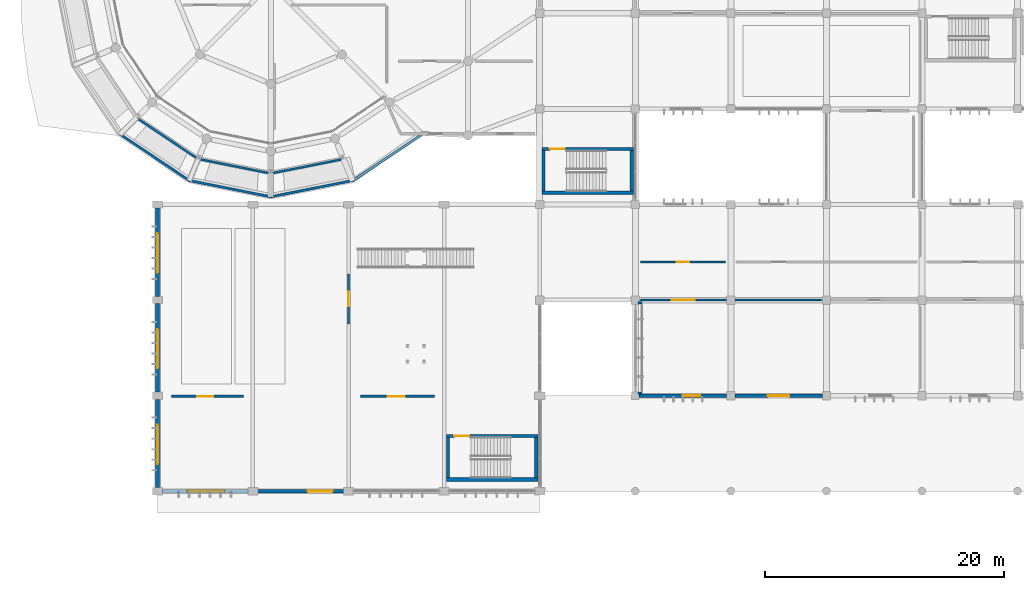
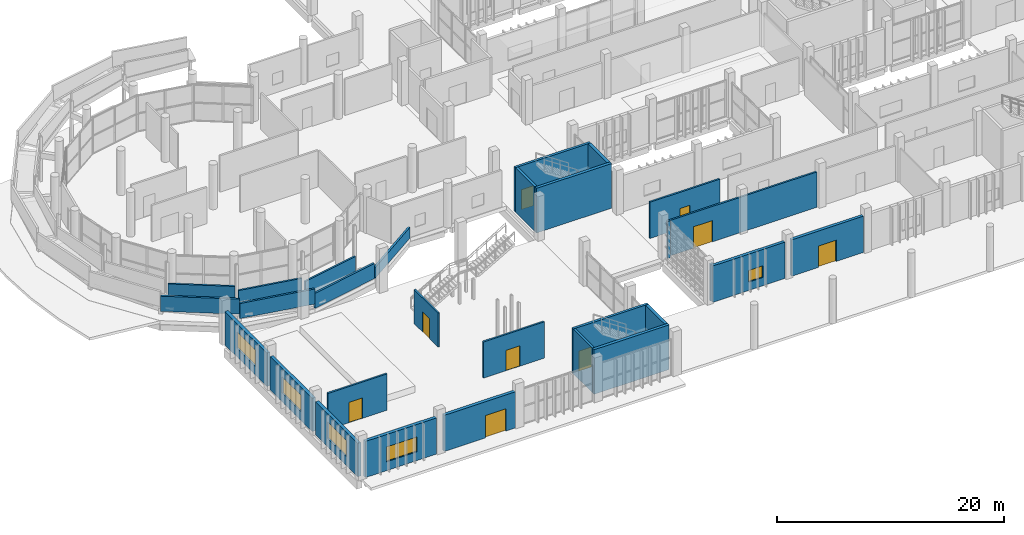
# One storey, part 82 of 117: 29 walls, 9 doors, 5 windows, 14 openings.
"""IFC4 building model written with IfcOpenShell, lengths in metres."""

import ifcopenshell
import ifcopenshell.guid

model = None  # the IFC model being written
_history = None  # IfcOwnerHistory: only IFC2X3 demands one
_inside = {}  # id of a spatial element -> (the spatial element, [elements in it])
_under = {}  # id of a project, library or spatial element -> (it, [spatial elements below it])
_declared = {}  # id of a project -> (the project, [libraries it declares])
_typed = {}  # id of a type object -> (the type object, [elements of that type])
_made_of = {}  # id of a material, layer set ... -> (it, [elements and type objects made of it])


def new_model(schema):
    """Start an empty IFC model of exactly this schema.

    Asked for "IFC4X3", IfcOpenShell would pick the latest addendum, in which some entities
    have other attributes; the version numbers below select the first issue.
    IFC2X3 requires an IfcOwnerHistory on every rooted entity: one is made here for all.
    """
    global model, _history
    if schema == "IFC4X3":
        model = ifcopenshell.file(schema_version=(4, 3, 0, 0))
    else:
        model = ifcopenshell.file(schema=schema)
    _inside.clear()
    _under.clear()
    _declared.clear()
    _typed.clear()
    _made_of.clear()
    _history = None
    if model.schema == "IFC2X3":
        org = make("IfcOrganization", Name="unknown")
        user = make(
            "IfcPersonAndOrganization",
            ThePerson=make("IfcPerson", FamilyName="unknown"),
            TheOrganization=org,
        )
        app = make(
            "IfcApplication",
            ApplicationDeveloper=org,
            Version="unknown",
            ApplicationFullName="unknown",
            ApplicationIdentifier="unknown",
        )
        _history = make(
            "IfcOwnerHistory",
            OwningUser=user,
            OwningApplication=app,
            ChangeAction="ADDED",
            CreationDate=0,
        )
    return model


def make(cls, **values):
    """One entity of the class cls with the attributes given. An attribute that is None is left unset."""
    return model.create_entity(
        cls, **{name: value for name, value in values.items() if value is not None}
    )


def rooted(cls, **values):
    """An entity with a GlobalId (a new one), such as an element, a storey or a relation."""
    return make(cls, GlobalId=ifcopenshell.guid.new(), OwnerHistory=_history, **values)


def si_unit(unit_type, name, prefix=None):
    """IfcSIUnit, for example si_unit("LENGTHUNIT", "METRE", prefix="MILLI")."""
    return make("IfcSIUnit", UnitType=unit_type, Prefix=prefix, Name=name)


def assignment(units):
    """IfcUnitAssignment: the units of a project."""
    return None if units is None else make("IfcUnitAssignment", Units=units)


def point(xyz):
    """IfcCartesianPoint."""
    return None if xyz is None else make("IfcCartesianPoint", Coordinates=xyz)


def direction(xyz):
    """IfcDirection."""
    return None if xyz is None else make("IfcDirection", DirectionRatios=xyz)


def frame(location, z_axis=None, x_axis=None):
    """IfcAxis2Placement3D, a coordinate frame: its origin and axes. An axis left out is left unset."""
    return make(
        "IfcAxis2Placement3D",
        Location=point(location),
        Axis=direction(z_axis),
        RefDirection=direction(x_axis),
    )


def frame_2d(location, x_axis=None):
    """IfcAxis2Placement2D, a coordinate frame in the plane: its origin and x axis."""
    return make(
        "IfcAxis2Placement2D", Location=point(location), RefDirection=direction(x_axis)
    )


def origin():
    """The frame at (0, 0, 0) with its axes left unset."""
    return frame((0.0, 0.0, 0.0))


def place(relative_to, where):
    """IfcLocalPlacement: puts the frame where relative to a parent placement (None: the world)."""
    return make(
        "IfcLocalPlacement", PlacementRelTo=relative_to, RelativePlacement=where
    )


def context(
    kind, dimensions, precision=None, world=None, true_north=None, identifier=None
):
    """IfcGeometricRepresentationContext, for example the 3D "Model" context."""
    return make(
        "IfcGeometricRepresentationContext",
        ContextIdentifier=identifier,
        ContextType=kind,
        CoordinateSpaceDimension=dimensions,
        Precision=precision,
        WorldCoordinateSystem=world,
        TrueNorth=true_north,
    )


def subcontext(parent, identifier, kind, view, scale=None):
    """IfcGeometricRepresentationSubContext, for example "Body" below "Model"."""
    return make(
        "IfcGeometricRepresentationSubContext",
        ContextIdentifier=identifier,
        ContextType=kind,
        ParentContext=parent,
        TargetScale=scale,
        TargetView=view,
    )


def project(units=None, contexts=None):
    """IfcProject with its units and contexts."""
    return rooted(
        "IfcProject",
        Name="project",
        RepresentationContexts=contexts,
        UnitsInContext=assignment(units),
    )


def spatial(cls, under=None, at=None, **own):
    """A site, building, storey or space (cls), placed at a placement, below another one or the project."""
    s = rooted(cls, ObjectPlacement=at, **own)
    if under is not None:
        _under.setdefault(under.id(), (under, []))[1].append(s)
    return s


def profile(cls, at=None, kind="AREA", **sizes):
    """A parametric profile (cls). Its sizes go by their IFC names, for example OverallWidth=200.0."""
    return make(cls, ProfileType=kind, Position=at, **sizes)


def rectangle(**sizes):
    """IfcRectangleProfileDef."""
    return profile("IfcRectangleProfileDef", **sizes)


def extrude(swept, where, along, depth):
    """IfcExtrudedAreaSolid: the profile swept, set in the frame where, extruded along a direction by depth."""
    return make(
        "IfcExtrudedAreaSolid",
        SweptArea=swept,
        Position=where,
        ExtrudedDirection=direction(along),
        Depth=depth,
    )


def shape(context_of_items, identifier, shape_type, items):
    """IfcShapeRepresentation: the items that make up one representation, for example the "Body"."""
    return make(
        "IfcShapeRepresentation",
        ContextOfItems=context_of_items,
        RepresentationIdentifier=identifier,
        RepresentationType=shape_type,
        Items=items,
    )


def material(Name=None, Category=None):
    """IfcMaterial."""
    return make("IfcMaterial", Name=Name, Category=Category)


def layer(
    of_material, thickness, ventilated=None, Name=None, Category=None, Priority=None
):
    """IfcMaterialLayer: one layer of a wall or slab, of a material (None: an air gap)."""
    return make(
        "IfcMaterialLayer",
        Material=of_material,
        LayerThickness=thickness,
        IsVentilated=ventilated,
        Name=Name,
        Category=Category,
        Priority=Priority,
    )


def layer_set(layers, Name=None):
    """IfcMaterialLayerSet."""
    return make("IfcMaterialLayerSet", MaterialLayers=layers, LayerSetName=Name)


def made_of(thing, what):
    """Note that an element or type object is made of a material, layer set ...; save() writes the relation."""
    if what is not None:
        _made_of.setdefault(what.id(), (what, []))[1].append(thing)
    return thing


def type_object(cls, material=None, **own):
    """A type object (cls), such as IfcWallType, which elements share."""
    return made_of(rooted(cls, **own), material)


def element(
    cls,
    number,
    at=None,
    inside=None,
    cuts=None,
    type_object=None,
    material=None,
    context=None,
    identifier="Body",
    shape_type=None,
    held_by="IfcProductDefinitionShape",
    body=None,
    shapes=None,
    **own,
):
    """One element of the class cls, such as IfcWall. Its Tag is "e" and its number.

    at: its placement. inside: the storey or other place that contains it. cuts: it is an
    opening in that element (IfcRelVoidsElement). A single representation is given by context,
    identifier, shape_type and body (its items); several are given by shapes. held_by: the class
    of the entity that holds the representations. save() writes the other relations.
    """
    e = rooted(cls, Tag="e%d" % number, ObjectPlacement=at, **own)
    if body is not None:
        shapes = [shape(context, identifier, shape_type, body)]
    if shapes is not None:
        e.Representation = make(held_by, Representations=shapes)
    if inside is not None:
        _inside.setdefault(inside.id(), (inside, []))[1].append(e)
    if cuts is not None:
        rooted(
            "IfcRelVoidsElement", RelatingBuildingElement=cuts, RelatedOpeningElement=e
        )
    if type_object is not None:
        _typed.setdefault(type_object.id(), (type_object, []))[1].append(e)
    return made_of(e, material)


def fill(opening, filler):
    """IfcRelFillsElement: the door or window that sits in an opening."""
    return rooted(
        "IfcRelFillsElement",
        RelatingOpeningElement=opening,
        RelatedBuildingElement=filler,
    )


def aggregate(whole, parts):
    """IfcRelAggregates: a whole, such as a stair, and the parts it consists of."""
    return rooted("IfcRelAggregates", RelatingObject=whole, RelatedObjects=parts)


def save(model, path):
    """Write the relations noted so far, then the file.

    IfcRelAggregates (storeys below a building ...), IfcRelContainedInSpatialStructure (elements
    in a storey), IfcRelDefinesByType, IfcRelAssociatesMaterial and IfcRelDeclares: one each for
    every whole, place, type object, material and project.
    """
    for whole, parts in _under.values():
        aggregate(whole, parts)
    for where, things in _inside.values():
        rooted(
            "IfcRelContainedInSpatialStructure",
            RelatedElements=things,
            RelatingStructure=where,
        )
    for kind, things in _typed.values():
        rooted("IfcRelDefinesByType", RelatedObjects=things, RelatingType=kind)
    for what, things in _made_of.values():
        rooted("IfcRelAssociatesMaterial", RelatedObjects=things, RelatingMaterial=what)
    for by, libraries in _declared.values():
        rooted("IfcRelDeclares", RelatingContext=by, RelatedDefinitions=libraries)
    model.write(path)


model = new_model("IFC4")

# Units and contexts
model_context = context("Model", 3, precision=1e-05, world=origin(), true_north=direction((0.0, 1.0)))
body_context = subcontext(model_context, "Body", "Model", "MODEL_VIEW")
ifc_project = project(units=[si_unit("LENGTHUNIT", "METRE"), si_unit("AREAUNIT", "SQUARE_METRE"), si_unit("VOLUMEUNIT", "CUBIC_METRE"), si_unit("PLANEANGLEUNIT", "RADIAN"), si_unit("MASSUNIT", "GRAM", prefix="KILO")], contexts=[model_context])

# Site, building, storey
site_placement = place(None, origin())
site = spatial("IfcSite", under=ifc_project, at=site_placement, CompositionType="ELEMENT")
building_placement = place(site_placement, origin())
building = spatial("IfcBuilding", under=site, at=building_placement, Name="Jelvoka-Kovrelna Polytechnic", CompositionType="ELEMENT")
storey_placement = place(building_placement, origin())
storey = spatial("IfcBuildingStorey", under=building, at=storey_placement, Name="L01", CompositionType="ELEMENT", Elevation=0.0)

# Wall, opening, door
ifc_material_1 = material(Name="Concrete C40/50", Category="concrete")
ifc_layer_1 = layer(ifc_material_1, 0.25)
ifc_layer_set_1 = layer_set([ifc_layer_1], Name="Concrete C40/50")
wall_type_1 = type_object("IfcWallType", Name="Wall_Core_250", PredefinedType="SOLIDWALL", material=ifc_layer_set_1)
wall_1_placement = place(storey_placement, frame((48.199951171875, 28.639892578125, 0.0), z_axis=(0.0, 0.0, 1.0), x_axis=(1.0, 0.0, 0.0)))
wall_1 = element("IfcWall", 1, at=wall_1_placement, inside=storey, type_object=wall_type_1, Name="L01 interior wall 0019", PredefinedType="SOLIDWALL", context=body_context, shape_type="SweptSolid", body=[
    extrude(rectangle(XDim=7.650146484375, YDim=0.25, at=frame_2d((3.8251953125, 0.0))), origin(), (0.0, 0.0, 1.0), 4.800048828125),
])
opening_1_placement = place(wall_1_placement, frame((0.64990234375, 0.0, 0.0)))
opening_1 = element("IfcOpeningElement", 2, at=opening_1_placement, cuts=wall_1, Name="Opening SD-L01-005", PredefinedType="OPENING", context=body_context, shape_type="SweptSolid", body=[
    extrude(rectangle(XDim=1.25, YDim=2.14990234375, at=frame_2d((0.625, 1.074951171875))), frame((0.0, 0.135009765625, 0.0), z_axis=(0.0, -1.0, 0.0), x_axis=(1.0, 0.0, 0.0)), (0.0, 0.0, 1.0), 0.27001953125),
])
ifc_material_2 = material(Name="Powder-coated steel fire door", Category="steel")
door_type_1 = type_object("IfcDoorType", Name="Door_Fire_FD02", OperationType="NOTDEFINED", PredefinedType="DOOR", material=ifc_material_2)
door_1_placement = place(opening_1_placement, origin())
door_1 = element("IfcDoor", 3, at=door_1_placement, inside=storey, type_object=door_type_1, Name="L01 interior door SD-L01-005", OperationType="SINGLE_SWING_LEFT", OverallHeight=2.14990234375, OverallWidth=1.25, PredefinedType="DOOR", context=body_context, shape_type="SweptSolid", body=[
    extrude(rectangle(XDim=1.25, YDim=2.14990234375, at=frame_2d((0.625, 1.074951171875))), frame((0.0, 0.02490234375, 0.0), z_axis=(0.0, -1.0, 0.0), x_axis=(1.0, 0.0, 0.0)), (0.0, 0.0, 1.0), 0.050048828125),
])
fill(opening_1, door_1)

# Wall
wall_2_placement = place(storey_placement, frame((48.324951171875, 25.14990234375, 0.0), z_axis=(0.0, 0.0, 1.0), x_axis=(0.0, 1.0, 0.0)))
element("IfcWall", 4, at=wall_2_placement, inside=storey, type_object=wall_type_1, Name="L01 interior wall 0020", PredefinedType="SOLIDWALL", context=body_context, shape_type="SweptSolid", body=[
    extrude(rectangle(XDim=3.360107421875, YDim=0.25, at=frame_2d((1.68017578125, 0.0))), origin(), (0.0, 0.0, 1.0), 4.800048828125),
])

# Wall, opening, door
wall_3_placement = place(storey_placement, frame((40.199951171875, 4.639892578125, 0.0), z_axis=(0.0, 0.0, 1.0), x_axis=(1.0, 0.0, 0.0)))
wall_3 = element("IfcWall", 5, at=wall_3_placement, inside=storey, type_object=wall_type_1, Name="L01 interior wall 0039", PredefinedType="SOLIDWALL", context=body_context, shape_type="SweptSolid", body=[
    extrude(rectangle(XDim=7.650146484375, YDim=0.25, at=frame_2d((3.8251953125, 0.0))), origin(), (0.0, 0.0, 1.0), 4.800048828125),
])
opening_2_placement = place(wall_3_placement, frame((0.64990234375, 0.0, 0.0)))
opening_2 = element("IfcOpeningElement", 6, at=opening_2_placement, cuts=wall_3, Name="Opening SD-L01-010", PredefinedType="OPENING", context=body_context, shape_type="SweptSolid", body=[
    extrude(rectangle(XDim=1.25, YDim=2.14990234375, at=frame_2d((0.625, 1.074951171875))), frame((0.0, 0.135009765625, 0.0), z_axis=(0.0, -1.0, 0.0), x_axis=(1.0, 0.0, 0.0)), (0.0, 0.0, 1.0), 0.27001953125),
])
door_2_placement = place(opening_2_placement, origin())
door_2 = element("IfcDoor", 7, at=door_2_placement, inside=storey, type_object=door_type_1, Name="L01 interior door SD-L01-010", OperationType="SINGLE_SWING_LEFT", OverallHeight=2.14990234375, OverallWidth=1.25, PredefinedType="DOOR", context=body_context, shape_type="SweptSolid", body=[
    extrude(rectangle(XDim=1.25, YDim=2.14990234375, at=frame_2d((0.625, 1.074951171875))), frame((0.0, 0.02490234375, 0.0), z_axis=(0.0, -1.0, 0.0), x_axis=(1.0, 0.0, 0.0)), (0.0, 0.0, 1.0), 0.050048828125),
])
fill(opening_2, door_2)

# Wall
wall_4_placement = place(storey_placement, frame((40.324951171875, 1.14990234375, 0.0), z_axis=(0.0, 0.0, 1.0), x_axis=(0.0, 1.0, 0.0)))
element("IfcWall", 8, at=wall_4_placement, inside=storey, type_object=wall_type_1, Name="L01 interior wall 0040", PredefinedType="SOLIDWALL", context=body_context, shape_type="SweptSolid", body=[
    extrude(rectangle(XDim=3.360107421875, YDim=0.25, at=frame_2d((1.68017578125, 0.0))), origin(), (0.0, 0.0, 1.0), 4.800048828125),
])

# Wall, opening, door
ifc_material_3 = material(Name="Autoclaved aerated concrete blockwork", Category="masonry")
ifc_layer_2 = layer(ifc_material_3, 0.179931640625)
ifc_layer_set_2 = layer_set([ifc_layer_2], Name="Autoclaved aerated concrete blockwork")
wall_type_2 = type_object("IfcWallType", Name="Wall_Corridor_180", PredefinedType="PARTITIONING", material=ifc_layer_set_2)
wall_5_placement = place(storey_placement, frame((56.429931640625, 16.0, 0.0), z_axis=(0.0, 0.0, 1.0), x_axis=(1.0, 0.0, 0.0)))
wall_5 = element("IfcWall", 9, at=wall_5_placement, inside=storey, type_object=wall_type_2, Name="L01 interior wall 0850", PredefinedType="PARTITIONING", context=body_context, shape_type="SweptSolid", body=[
    extrude(rectangle(XDim=15.14013671875, YDim=0.179931640625, at=frame_2d((7.570068359375, 0.0))), origin(), (0.0, 0.0, 1.0), 3.81005859375),
])
opening_3_placement = place(wall_5_placement, frame((2.610107421875, 0.0, 0.0)))
opening_3 = element("IfcOpeningElement", 10, at=opening_3_placement, cuts=wall_5, Name="Opening D-L01-154", PredefinedType="OPENING", context=body_context, shape_type="SweptSolid", body=[
    extrude(rectangle(XDim=1.919921875, YDim=2.300048828125, at=frame_2d((0.9599609375, 1.14990234375))), frame((0.0, 0.099853515625, 0.0), z_axis=(0.0, -1.0, 0.0), x_axis=(1.0, 0.0, 0.0)), (0.0, 0.0, 1.0), 0.199951171875),
])
ifc_material_4 = material(Name="Paired workshop prep double door", Category="wood")
door_type_2 = type_object("IfcDoorType", Name="Door_Int_D23", OperationType="NOTDEFINED", PredefinedType="DOOR", material=ifc_material_4)
door_3_placement = place(opening_3_placement, origin())
door_3 = element("IfcDoor", 11, at=door_3_placement, inside=storey, type_object=door_type_2, Name="L01 interior door D-L01-154", OperationType="DOUBLE_DOOR_SINGLE_SWING", OverallHeight=2.300048828125, OverallWidth=1.919921875, PredefinedType="DOOR", context=body_context, shape_type="SweptSolid", body=[
    extrude(rectangle(XDim=1.919921875, YDim=2.300048828125, at=frame_2d((0.9599609375, 1.14990234375))), frame((0.0, 0.02490234375, 0.0), z_axis=(0.0, -1.0, 0.0), x_axis=(1.0, 0.0, 0.0)), (0.0, 0.0, 1.0), 0.050048828125),
])
fill(opening_3, door_3)

wall_6_placement = place(storey_placement, frame((56.429931640625, 19.199951171875, 0.0), z_axis=(0.0, 0.0, 1.0), x_axis=(1.0, 0.0, 0.0)))
wall_6 = element("IfcWall", 12, at=wall_6_placement, inside=storey, type_object=wall_type_2, Name="L01 interior wall 0859", PredefinedType="PARTITIONING", context=body_context, shape_type="SweptSolid", body=[
    extrude(rectangle(XDim=7.14013671875, YDim=0.179931640625, at=frame_2d((3.570068359375, 0.0))), origin(), (0.0, 0.0, 1.0), 3.89990234375),
])
opening_4_placement = place(wall_6_placement, frame((3.050048828125, 0.0, 0.0)))
opening_4 = element("IfcOpeningElement", 13, at=opening_4_placement, cuts=wall_6, Name="Opening D-L01-160", PredefinedType="OPENING", context=body_context, shape_type="SweptSolid", body=[
    extrude(rectangle(XDim=1.0400390625, YDim=2.14990234375, at=frame_2d((0.52001953125, 1.074951171875))), frame((0.0, 0.099853515625, 0.0), z_axis=(0.0, -1.0, 0.0), x_axis=(1.0, 0.0, 0.0)), (0.0, 0.0, 1.0), 0.199951171875),
])
ifc_material_5 = material(Name="Hardwood acoustic seminar door", Category="wood")
door_type_3 = type_object("IfcDoorType", Name="Door_Int_D09", OperationType="NOTDEFINED", PredefinedType="DOOR", material=ifc_material_5)
door_4_placement = place(opening_4_placement, origin())
door_4 = element("IfcDoor", 14, at=door_4_placement, inside=storey, type_object=door_type_3, Name="L01 interior door D-L01-160", OperationType="SINGLE_SWING_LEFT", OverallHeight=2.14990234375, OverallWidth=1.0400390625, PredefinedType="DOOR", context=body_context, shape_type="SweptSolid", body=[
    extrude(rectangle(XDim=1.0400390625, YDim=2.14990234375, at=frame_2d((0.52001953125, 1.074951171875))), frame((0.0, 0.02490234375, 0.0), z_axis=(0.0, -1.0, 0.0), x_axis=(1.0, 0.0, 0.0)), (0.0, 0.0, 1.0), 0.050048828125),
])
fill(opening_4, door_4)

wall_7_placement = place(storey_placement, frame((32.0, 14.0, 0.0), z_axis=(0.0, 0.0, 1.0), x_axis=(0.0, 1.0, 0.0)))
wall_7 = element("IfcWall", 15, at=wall_7_placement, inside=storey, type_object=wall_type_2, Name="L01 interior wall 0933", PredefinedType="PARTITIONING", context=body_context, shape_type="SweptSolid", body=[
    extrude(rectangle(XDim=4.199951171875, YDim=0.179931640625, at=frame_2d((2.10009765625, 0.0))), origin(), (0.0, 0.0, 1.0), 3.655029296875),
])
opening_5_placement = place(wall_7_placement, frame((1.489990234375, 0.0, 0.0)))
opening_5 = element("IfcOpeningElement", 16, at=opening_5_placement, cuts=wall_7, Name="Opening D-L01-209", PredefinedType="OPENING", context=body_context, shape_type="SweptSolid", body=[
    extrude(rectangle(XDim=1.219970703125, YDim=2.179931640625, at=frame_2d((0.60986328125, 1.08984375))), frame((0.0, 0.099853515625, 0.0), z_axis=(0.0, -1.0, 0.0), x_axis=(1.0, 0.0, 0.0)), (0.0, 0.0, 1.0), 0.199951171875),
])
ifc_material_6 = material(Name="Hardwood fire-resisting laboratory door", Category="wood")
door_type_4 = type_object("IfcDoorType", Name="Door_Fire_FD30_04", OperationType="NOTDEFINED", PredefinedType="DOOR", material=ifc_material_6)
door_5_placement = place(opening_5_placement, origin())
door_5 = element("IfcDoor", 17, at=door_5_placement, inside=storey, type_object=door_type_4, Name="L01 interior door D-L01-209", OperationType="SINGLE_SWING_LEFT", OverallHeight=2.179931640625, OverallWidth=1.219970703125, PredefinedType="DOOR", context=body_context, shape_type="SweptSolid", body=[
    extrude(rectangle(XDim=1.219970703125, YDim=2.179931640625, at=frame_2d((0.60986328125, 1.08984375))), frame((0.0, 0.02490234375, 0.0), z_axis=(0.0, -1.0, 0.0), x_axis=(1.0, 0.0, 0.0)), (0.0, 0.0, 1.0), 0.050048828125),
])
fill(opening_5, door_5)

wall_8_placement = place(storey_placement, frame((17.199951171875, 7.949951171875, 0.0), z_axis=(0.0, 0.0, 1.0), x_axis=(1.0, 0.0, 0.0)))
wall_8 = element("IfcWall", 18, at=wall_8_placement, inside=storey, type_object=wall_type_2, Name="L01 interior wall 0934", PredefinedType="PARTITIONING", context=body_context, shape_type="SweptSolid", body=[
    extrude(rectangle(XDim=6.0, YDim=0.179931640625, at=frame_2d((3.0, 0.0))), origin(), (0.0, 0.0, 1.0), 3.89990234375),
])
opening_6_placement = place(wall_8_placement, frame((2.125, 0.0, 0.0)))
opening_6 = element("IfcOpeningElement", 19, at=opening_6_placement, cuts=wall_8, Name="Opening D-L01-210", PredefinedType="OPENING", context=body_context, shape_type="SweptSolid", body=[
    extrude(rectangle(XDim=1.35009765625, YDim=2.199951171875, at=frame_2d((0.675048828125, 1.10009765625))), frame((0.0, 0.099853515625, 0.0), z_axis=(0.0, -1.0, 0.0), x_axis=(1.0, 0.0, 0.0)), (0.0, 0.0, 1.0), 0.199951171875),
])
ifc_material_7 = material(Name="Studio wide leaf door", Category="wood")
door_type_5 = type_object("IfcDoorType", Name="Door_Int_D15", OperationType="NOTDEFINED", PredefinedType="DOOR", material=ifc_material_7)
door_6_placement = place(opening_6_placement, origin())
door_6 = element("IfcDoor", 20, at=door_6_placement, inside=storey, type_object=door_type_5, Name="L01 interior door D-L01-210", OperationType="SINGLE_SWING_RIGHT", OverallHeight=2.199951171875, OverallWidth=1.35009765625, PredefinedType="DOOR", context=body_context, shape_type="SweptSolid", body=[
    extrude(rectangle(XDim=1.35009765625, YDim=2.199951171875, at=frame_2d((0.675048828125, 1.10009765625))), frame((0.0, 0.02490234375, 0.0), z_axis=(0.0, -1.0, 0.0), x_axis=(1.0, 0.0, 0.0)), (0.0, 0.0, 1.0), 0.050048828125),
])
fill(opening_6, door_6)

wall_9_placement = place(storey_placement, frame((33.0, 7.949951171875, 0.0), z_axis=(0.0, 0.0, 1.0), x_axis=(1.0, 0.0, 0.0)))
wall_9 = element("IfcWall", 21, at=wall_9_placement, inside=storey, type_object=wall_type_2, Name="L01 interior wall 0935", PredefinedType="PARTITIONING", context=body_context, shape_type="SweptSolid", body=[
    extrude(rectangle(XDim=6.199951171875, YDim=0.179931640625, at=frame_2d((3.10009765625, 0.0))), origin(), (0.0, 0.0, 1.0), 3.89990234375),
])
opening_7_placement = place(wall_9_placement, frame((2.2900390625, 0.0, 0.0)))
opening_7 = element("IfcOpeningElement", 22, at=opening_7_placement, cuts=wall_9, Name="Opening D-L01-211", PredefinedType="OPENING", context=body_context, shape_type="SweptSolid", body=[
    extrude(rectangle(XDim=1.419921875, YDim=2.199951171875, at=frame_2d((0.7099609375, 1.10009765625))), frame((0.0, 0.099853515625, 0.0), z_axis=(0.0, -1.0, 0.0), x_axis=(1.0, 0.0, 0.0)), (0.0, 0.0, 1.0), 0.199951171875),
])
ifc_material_8 = material(Name="Paired laboratory equipment door", Category="wood")
door_type_6 = type_object("IfcDoorType", Name="Door_Int_D16", OperationType="NOTDEFINED", PredefinedType="DOOR", material=ifc_material_8)
door_7_placement = place(opening_7_placement, origin())
door_7 = element("IfcDoor", 23, at=door_7_placement, inside=storey, type_object=door_type_6, Name="L01 interior door D-L01-211", OperationType="DOUBLE_DOOR_SINGLE_SWING", OverallHeight=2.199951171875, OverallWidth=1.419921875, PredefinedType="DOOR", context=body_context, shape_type="SweptSolid", body=[
    extrude(rectangle(XDim=1.419921875, YDim=2.199951171875, at=frame_2d((0.7099609375, 1.10009765625))), frame((0.0, 0.02490234375, 0.0), z_axis=(0.0, -1.0, 0.0), x_axis=(1.0, 0.0, 0.0)), (0.0, 0.0, 1.0), 0.050048828125),
])
fill(opening_7, door_7)

# Wall, opening, window
ifc_material_9 = material(Name="Precast concrete C40/50", Category="concrete")
ifc_layer_3 = layer(ifc_material_9, 0.324951171875)
ifc_layer_set_3 = layer_set([ifc_layer_3], Name="Precast concrete C40/50")
wall_type_3 = type_object("IfcWallType", Name="Wall_Ext_Acoustic_325", PredefinedType="STANDARD", material=ifc_layer_set_3)
wall_10_placement = place(storey_placement, frame((23.6201171875, 0.0, 0.0), z_axis=(0.0, 0.0, 1.0), x_axis=(-1.0, 0.0, 0.0)))
wall_10 = element("IfcWall", 24, at=wall_10_placement, inside=storey, type_object=wall_type_3, Name="L01 exterior wall 1119", PredefinedType="STANDARD", context=body_context, shape_type="SweptSolid", body=[
    extrude(rectangle(XDim=7.240234375, YDim=0.324951171875, at=frame_2d((3.6201171875, 0.0))), origin(), (0.0, 0.0, 1.0), 3.889892578125),
])
opening_8_placement = place(wall_10_placement, frame((2.0, 0.0, 0.949951171875)))
opening_8 = element("IfcOpeningElement", 25, at=opening_8_placement, cuts=wall_10, Name="Opening W-L01-559", PredefinedType="OPENING", context=body_context, shape_type="SweptSolid", body=[
    extrude(rectangle(XDim=3.10009765625, YDim=1.60009765625, at=frame_2d((1.550048828125, 0.800048828125))), frame((0.0, 0.172607421875, 0.0), z_axis=(0.0, -1.0, 0.0), x_axis=(1.0, 0.0, 0.0)), (0.0, 0.0, 1.0), 0.344970703125),
])
ifc_material_10 = material(Name="Thermally broken anodised aluminium and low-e glazing", Category="aluminium")
window_type_1 = type_object("IfcWindowType", Name="Win_Casement_W61", PartitioningType="DOUBLE_PANEL_VERTICAL", PredefinedType="WINDOW", material=ifc_material_10)
window_1_placement = place(opening_8_placement, origin())
window_1 = element("IfcWindow", 26, at=window_1_placement, inside=storey, type_object=window_type_1, Name="L01 aluminium casement window W-L01-559", OverallHeight=1.60009765625, OverallWidth=3.10009765625, PartitioningType="DOUBLE_PANEL_VERTICAL", PredefinedType="WINDOW", context=body_context, shape_type="SweptSolid", body=[
    extrude(rectangle(XDim=3.10009765625, YDim=1.60009765625, at=frame_2d((1.550048828125, 0.800048828125))), frame((0.0, 0.030029296875, 0.0), z_axis=(0.0, -1.0, 0.0), x_axis=(1.0, 0.0, 0.0)), (0.0, 0.0, 1.0), 0.06005859375),
])
fill(opening_8, window_1)

# Wall, opening, door
wall_11_placement = place(storey_placement, frame((31.6201171875, 0.0, 0.0), z_axis=(0.0, 0.0, 1.0), x_axis=(-1.0, 0.0, 0.0)))
wall_11 = element("IfcWall", 27, at=wall_11_placement, inside=storey, type_object=wall_type_3, Name="L01 exterior wall 1120", PredefinedType="STANDARD", context=body_context, shape_type="SweptSolid", body=[
    extrude(rectangle(XDim=7.240234375, YDim=0.324951171875, at=frame_2d((3.6201171875, 0.0))), origin(), (0.0, 0.0, 1.0), 3.889892578125),
])
opening_9_placement = place(wall_11_placement, frame((0.949951171875, 0.0, 0.0)))
opening_9 = element("IfcOpeningElement", 28, at=opening_9_placement, cuts=wall_11, Name="Opening E-L01-035", PredefinedType="OPENING", context=body_context, shape_type="SweptSolid", body=[
    extrude(rectangle(XDim=2.10009765625, YDim=2.39990234375, at=frame_2d((1.050048828125, 1.199951171875))), frame((0.0, 0.172607421875, 0.0), z_axis=(0.0, -1.0, 0.0), x_axis=(1.0, 0.0, 0.0)), (0.0, 0.0, 1.0), 0.344970703125),
])
ifc_material_11 = material(Name="Powder-coated aluminium and laminated safety glass", Category="aluminium")
door_type_7 = type_object("IfcDoorType", Name="Door_Ext_Exit_2100x2400", OperationType="NOTDEFINED", PredefinedType="DOOR", material=ifc_material_11)
door_8_placement = place(opening_9_placement, origin())
door_8 = element("IfcDoor", 29, at=door_8_placement, inside=storey, type_object=door_type_7, Name="L01 exterior door E-L01-035", OperationType="DOUBLE_DOOR_SINGLE_SWING", OverallHeight=2.39990234375, OverallWidth=2.10009765625, PredefinedType="DOOR", context=body_context, shape_type="SweptSolid", body=[
    extrude(rectangle(XDim=2.10009765625, YDim=2.39990234375, at=frame_2d((1.050048828125, 1.199951171875))), frame((0.0, 0.02490234375, 0.0), z_axis=(0.0, -1.0, 0.0), x_axis=(1.0, 0.0, 0.0)), (0.0, 0.0, 1.0), 0.050048828125),
])
fill(opening_9, door_8)

# Wall, opening, window
wall_12_placement = place(storey_placement, frame((16.0, 0.297119140625, 0.0), z_axis=(0.0, 0.0, 1.0), x_axis=(0.0, 1.0, 0.0)))
wall_12 = element("IfcWall", 30, at=wall_12_placement, inside=storey, type_object=wall_type_3, Name="L01 exterior wall 1121", PredefinedType="STANDARD", context=body_context, shape_type="SweptSolid", body=[
    extrude(rectangle(XDim=7.40576171875, YDim=0.324951171875, at=frame_2d((3.702880859375, 0.0))), origin(), (0.0, 0.0, 1.0), 3.590087890625),
])
opening_10_placement = place(wall_12_placement, frame((1.98291015625, 0.0, 0.949951171875)))
opening_10 = element("IfcOpeningElement", 31, at=opening_10_placement, cuts=wall_12, Name="Opening W-L01-560", PredefinedType="OPENING", context=body_context, shape_type="SweptSolid", body=[
    extrude(rectangle(XDim=3.300048828125, YDim=1.75, at=frame_2d((1.64990234375, 0.875))), frame((0.0, 0.172607421875, 0.0), z_axis=(0.0, -1.0, 0.0), x_axis=(1.0, 0.0, 0.0)), (0.0, 0.0, 1.0), 0.344970703125),
])
ifc_material_12 = material(Name="Thermally broken anodised aluminium and low-e glazing", Category="aluminium")
window_type_2 = type_object("IfcWindowType", Name="Win_Casement_W62", PartitioningType="DOUBLE_PANEL_VERTICAL", PredefinedType="WINDOW", material=ifc_material_12)
window_2_placement = place(opening_10_placement, origin())
window_2 = element("IfcWindow", 32, at=window_2_placement, inside=storey, type_object=window_type_2, Name="L01 aluminium casement window W-L01-560", OverallHeight=1.75, OverallWidth=3.300048828125, PartitioningType="DOUBLE_PANEL_VERTICAL", PredefinedType="WINDOW", context=body_context, shape_type="SweptSolid", body=[
    extrude(rectangle(XDim=3.300048828125, YDim=1.75, at=frame_2d((1.64990234375, 0.875))), frame((0.0, 0.030029296875, 0.0), z_axis=(0.0, -1.0, 0.0), x_axis=(1.0, 0.0, 0.0)), (0.0, 0.0, 1.0), 0.06005859375),
])
fill(opening_10, window_2)

wall_13_placement = place(storey_placement, frame((16.0, 8.297119140625, 0.0), z_axis=(0.0, 0.0, 1.0), x_axis=(0.0, 1.0, 0.0)))
wall_13 = element("IfcWall", 33, at=wall_13_placement, inside=storey, type_object=wall_type_3, Name="L01 exterior wall 1122", PredefinedType="STANDARD", context=body_context, shape_type="SweptSolid", body=[
    extrude(rectangle(XDim=7.40576171875, YDim=0.324951171875, at=frame_2d((3.702880859375, 0.0))), origin(), (0.0, 0.0, 1.0), 3.590087890625),
])
opening_11_placement = place(wall_13_placement, frame((1.98291015625, 0.0, 0.949951171875)))
opening_11 = element("IfcOpeningElement", 34, at=opening_11_placement, cuts=wall_13, Name="Opening W-L01-561", PredefinedType="OPENING", context=body_context, shape_type="SweptSolid", body=[
    extrude(rectangle(XDim=3.300048828125, YDim=1.75, at=frame_2d((1.64990234375, 0.875))), frame((0.0, 0.172607421875, 0.0), z_axis=(0.0, -1.0, 0.0), x_axis=(1.0, 0.0, 0.0)), (0.0, 0.0, 1.0), 0.344970703125),
])
window_3_placement = place(opening_11_placement, origin())
window_3 = element("IfcWindow", 35, at=window_3_placement, inside=storey, type_object=window_type_2, Name="L01 aluminium casement window W-L01-561", OverallHeight=1.75, OverallWidth=3.300048828125, PartitioningType="DOUBLE_PANEL_VERTICAL", PredefinedType="WINDOW", context=body_context, shape_type="SweptSolid", body=[
    extrude(rectangle(XDim=3.300048828125, YDim=1.75, at=frame_2d((1.64990234375, 0.875))), frame((0.0, 0.030029296875, 0.0), z_axis=(0.0, -1.0, 0.0), x_axis=(1.0, 0.0, 0.0)), (0.0, 0.0, 1.0), 0.06005859375),
])
fill(opening_11, window_3)

wall_14_placement = place(storey_placement, frame((16.0, 16.297119140625, 0.0), z_axis=(0.0, 0.0, 1.0), x_axis=(0.0, 1.0, 0.0)))
wall_14 = element("IfcWall", 36, at=wall_14_placement, inside=storey, type_object=wall_type_3, Name="L01 exterior wall 1123", PredefinedType="STANDARD", context=body_context, shape_type="SweptSolid", body=[
    extrude(rectangle(XDim=7.40576171875, YDim=0.324951171875, at=frame_2d((3.702880859375, 0.0))), origin(), (0.0, 0.0, 1.0), 3.590087890625),
])
opening_12_placement = place(wall_14_placement, frame((1.98291015625, 0.0, 0.949951171875)))
opening_12 = element("IfcOpeningElement", 37, at=opening_12_placement, cuts=wall_14, Name="Opening W-L01-562", PredefinedType="OPENING", context=body_context, shape_type="SweptSolid", body=[
    extrude(rectangle(XDim=3.300048828125, YDim=1.75, at=frame_2d((1.64990234375, 0.875))), frame((0.0, 0.172607421875, 0.0), z_axis=(0.0, -1.0, 0.0), x_axis=(1.0, 0.0, 0.0)), (0.0, 0.0, 1.0), 0.344970703125),
])
window_4_placement = place(opening_12_placement, origin())
window_4 = element("IfcWindow", 38, at=window_4_placement, inside=storey, type_object=window_type_2, Name="L01 aluminium casement window W-L01-562", OverallHeight=1.75, OverallWidth=3.300048828125, PartitioningType="DOUBLE_PANEL_VERTICAL", PredefinedType="WINDOW", context=body_context, shape_type="SweptSolid", body=[
    extrude(rectangle(XDim=3.300048828125, YDim=1.75, at=frame_2d((1.64990234375, 0.875))), frame((0.0, 0.030029296875, 0.0), z_axis=(0.0, -1.0, 0.0), x_axis=(1.0, 0.0, 0.0)), (0.0, 0.0, 1.0), 0.06005859375),
])
fill(opening_12, window_4)

ifc_material_13 = material(Name="Precast concrete C40/50", Category="concrete")
ifc_layer_4 = layer(ifc_material_13, 0.300048828125)
ifc_layer_set_4 = layer_set([ifc_layer_4], Name="Precast concrete C40/50")
wall_type_4 = type_object("IfcWallType", Name="Wall_Ext_White_300", PredefinedType="STANDARD", material=ifc_layer_set_4)
wall_15_placement = place(storey_placement, frame((63.653076171875, 8.0, 0.0), z_axis=(0.0, 0.0, 1.0), x_axis=(-1.0, 0.0, 0.0)))
wall_15 = element("IfcWall", 39, at=wall_15_placement, inside=storey, type_object=wall_type_4, Name="L01 exterior wall 0230", PredefinedType="STANDARD", context=body_context, shape_type="SweptSolid", body=[
    extrude(rectangle(XDim=7.3310546875, YDim=0.300048828125, at=frame_2d((3.66552734375, 0.0))), origin(), (0.0, 0.0, 1.0), 3.909912109375),
])
opening_13_placement = place(wall_15_placement, frame((2.23291015625, 0.0, 0.89990234375)))
opening_13 = element("IfcOpeningElement", 40, at=opening_13_placement, cuts=wall_15, Name="Opening W-L01-001", PredefinedType="OPENING", context=body_context, shape_type="SweptSolid", body=[
    extrude(rectangle(XDim=1.449951171875, YDim=1.25, at=frame_2d((0.72509765625, 0.625))), frame((0.0, 0.159912109375, 0.0), z_axis=(0.0, -1.0, 0.0), x_axis=(1.0, 0.0, 0.0)), (0.0, 0.0, 1.0), 0.320068359375),
])
ifc_material_14 = material(Name="Thermally broken anodised aluminium and low-e glazing", Category="aluminium")
window_type_3 = type_object("IfcWindowType", Name="Win_Casement_W03", PartitioningType="SINGLE_PANEL", PredefinedType="WINDOW", material=ifc_material_14)
window_5_placement = place(opening_13_placement, origin())
window_5 = element("IfcWindow", 41, at=window_5_placement, inside=storey, type_object=window_type_3, Name="L01 aluminium casement window W-L01-001", OverallHeight=1.25, OverallWidth=1.449951171875, PartitioningType="SINGLE_PANEL", PredefinedType="WINDOW", context=body_context, shape_type="SweptSolid", body=[
    extrude(rectangle(XDim=1.449951171875, YDim=1.25, at=frame_2d((0.72509765625, 0.625))), frame((0.0, 0.030029296875, 0.0), z_axis=(0.0, -1.0, 0.0), x_axis=(1.0, 0.0, 0.0)), (0.0, 0.0, 1.0), 0.06005859375),
])
fill(opening_13, window_5)

# Wall, opening, door
wall_16_placement = place(storey_placement, frame((71.653076171875, 8.0, 0.0), z_axis=(0.0, 0.0, 1.0), x_axis=(-1.0, 0.0, 0.0)))
wall_16 = element("IfcWall", 42, at=wall_16_placement, inside=storey, type_object=wall_type_4, Name="L01 exterior wall 0232", PredefinedType="STANDARD", context=body_context, shape_type="SweptSolid", body=[
    extrude(rectangle(XDim=7.30615234375, YDim=0.300048828125, at=frame_2d((3.653076171875, 0.0))), origin(), (0.0, 0.0, 1.0), 3.909912109375),
])
opening_14_placement = place(wall_16_placement, frame((2.7529296875, 0.0, 0.0)))
opening_14 = element("IfcOpeningElement", 43, at=opening_14_placement, cuts=wall_16, Name="Opening E-L01-001", PredefinedType="OPENING", context=body_context, shape_type="SweptSolid", body=[
    extrude(rectangle(XDim=1.800048828125, YDim=2.300048828125, at=frame_2d((0.89990234375, 1.14990234375))), frame((0.0, 0.159912109375, 0.0), z_axis=(0.0, -1.0, 0.0), x_axis=(1.0, 0.0, 0.0)), (0.0, 0.0, 1.0), 0.320068359375),
])
ifc_material_15 = material(Name="Powder-coated aluminium and laminated safety glass", Category="aluminium")
door_type_8 = type_object("IfcDoorType", Name="Door_Ext_Exit_1800x2300", OperationType="NOTDEFINED", PredefinedType="DOOR", material=ifc_material_15)
door_9_placement = place(opening_14_placement, origin())
door_9 = element("IfcDoor", 44, at=door_9_placement, inside=storey, type_object=door_type_8, Name="L01 exterior door E-L01-001", OperationType="DOUBLE_DOOR_SINGLE_SWING", OverallHeight=2.300048828125, OverallWidth=1.800048828125, PredefinedType="DOOR", context=body_context, shape_type="SweptSolid", body=[
    extrude(rectangle(XDim=1.800048828125, YDim=2.300048828125, at=frame_2d((0.89990234375, 1.14990234375))), frame((0.0, 0.02490234375, 0.0), z_axis=(0.0, -1.0, 0.0), x_axis=(1.0, 0.0, 0.0)), (0.0, 0.0, 1.0), 0.050048828125),
])
fill(opening_14, door_9)

# Walls
ifc_material_16 = material(Name="Precast concrete C40/50", Category="concrete")
ifc_layer_5 = layer(ifc_material_16, 0.179931640625)
ifc_layer_set_5 = layer_set([ifc_layer_5], Name="Precast concrete C40/50")
wall_type_5 = type_object("IfcWallType", Name="Wall_Parapet_180", PredefinedType="PARAPET", material=ifc_layer_set_5)
wall_17_placement = place(storey_placement, frame((31.427734375, 27.779052734375, 0.010009765625), z_axis=(0.0, 0.0, 1.0), x_axis=(-0.980782832021, -0.195102630459, 0.0)))
element("IfcWall", 45, at=wall_17_placement, inside=storey, type_object=wall_type_5, Name="L01 exterior wall 1040", PredefinedType="PARAPET", context=body_context, shape_type="SweptSolid", body=[
    extrude(rectangle(XDim=5.8837890625, YDim=0.179931640625, at=frame_2d((2.94189453125, 0.0))), origin(), (0.0, 0.0, 1.0), 1.619873046875),
])
wall_18_placement = place(storey_placement, frame((25.343017578125, 26.631103515625, 0.489990234375), z_axis=(0.0, 0.0, 1.0), x_axis=(-0.980782832021, 0.195102630459, 0.0)))
element("IfcWall", 46, at=wall_18_placement, inside=storey, type_object=wall_type_5, Name="L01 exterior wall 1042", PredefinedType="PARAPET", context=body_context, shape_type="SweptSolid", body=[
    extrude(rectangle(XDim=5.8837890625, YDim=0.179931640625, at=frame_2d((2.94189453125, 0.0))), origin(), (0.0, 0.0, 1.0), 1.6201171875),
])
wall_19_placement = place(storey_placement, frame((19.2822265625, 27.899169921875, 0.969970703125), z_axis=(0.0, 0.0, 1.0), x_axis=(-0.831462553548, 0.555580797046, 0.0)))
element("IfcWall", 47, at=wall_19_placement, inside=storey, type_object=wall_type_5, Name="L01 exterior wall 1044", PredefinedType="PARAPET", context=body_context, shape_type="SweptSolid", body=[
    extrude(rectangle(XDim=5.884033203125, YDim=0.179931640625, at=frame_2d((2.94189453125, 0.0))), origin(), (0.0, 0.0, 1.0), 1.6201171875),
])
ifc_material_17 = material(Name="Precast concrete C40/50", Category="concrete")
ifc_layer_6 = layer(ifc_material_17, 0.199951171875)
ifc_layer_set_6 = layer_set([ifc_layer_6], Name="Precast concrete C40/50")
wall_type_6 = type_object("IfcWallType", Name="Wall_Parapet_200", PredefinedType="PARAPET", material=ifc_layer_set_6)
for number, where, z_axis, x_axis, name in (
    (48, (56.239990234375, 8.219970703125, 0.0), (0.0, 0.0, 1.0), (1.0, 0.0, 0.0), "L01 exterior wall 0254"),
    (49, (56.239990234375, 15.780029296875, 0.0), (0.0, 0.0, 1.0), (1.0, 0.0, 0.0), "L01 exterior wall 0255"),
):
    element("IfcWall", number, at=place(storey_placement, frame(where, z_axis=z_axis, x_axis=x_axis)), inside=storey, type_object=wall_type_6, Name=name, PredefinedType="PARAPET", context=body_context, shape_type="SweptSolid", body=[
        extrude(rectangle(XDim=0.320068359375, YDim=0.199951171875, at=frame_2d((0.16015625, 0.0))), origin(), (0.0, 0.0, 1.0), 3.949951171875),
    ])
wall_20_placement = place(storey_placement, frame((32.34228515625, 25.98095703125, 0.0), z_axis=(0.0, 0.0, 1.0), x_axis=(0.831468390799, 0.555572061125, 0.0)))
element("IfcWall", 50, at=wall_20_placement, inside=storey, type_object=wall_type_6, Name="L01 exterior wall 0955", PredefinedType="PARAPET", context=body_context, shape_type="SweptSolid", body=[
    extrude(rectangle(XDim=6.9765625, YDim=0.199951171875, at=frame_2d((3.48828125, 0.0))), origin(), (0.0, 0.0, 1.0), 1.14990234375),
])
wall_21_placement = place(storey_placement, frame((32.330810546875, 26.0087890625, 0.010009765625), z_axis=(0.0, 0.0, 1.0), x_axis=(-0.9807810487, -0.19511159502, 0.0)))
element("IfcWall", 51, at=wall_21_placement, inside=storey, type_object=wall_type_6, Name="L01 exterior wall 1039", PredefinedType="PARAPET", context=body_context, shape_type="SweptSolid", body=[
    extrude(rectangle(XDim=6.964599609375, YDim=0.199951171875, at=frame_2d((3.482421875, 0.0))), origin(), (0.0, 0.0, 1.0), 1.619873046875),
])
wall_22_placement = place(storey_placement, frame((25.5, 24.64990234375, 0.489990234375), z_axis=(0.0, 0.0, 1.0), x_axis=(-0.9807810487, 0.19511159502, 0.0)))
element("IfcWall", 52, at=wall_22_placement, inside=storey, type_object=wall_type_6, Name="L01 exterior wall 1041", PredefinedType="PARAPET", context=body_context, shape_type="SweptSolid", body=[
    extrude(rectangle(XDim=6.964599609375, YDim=0.199951171875, at=frame_2d((3.482421875, 0.0))), origin(), (0.0, 0.0, 1.0), 1.6201171875),
])
wall_23_placement = place(storey_placement, frame((18.669189453125, 26.0087890625, 0.969970703125), z_axis=(0.0, 0.0, 1.0), x_axis=(-0.831472806966, 0.555565451838, 0.0)))
element("IfcWall", 53, at=wall_23_placement, inside=storey, type_object=wall_type_6, Name="L01 exterior wall 1043", PredefinedType="PARAPET", context=body_context, shape_type="SweptSolid", body=[
    extrude(rectangle(XDim=6.96484375, YDim=0.199951171875, at=frame_2d((3.482421875, 0.0))), origin(), (0.0, 0.0, 1.0), 1.6201171875),
])
ifc_material_18 = material(Name="Concrete C40/50", Category="concrete")
ifc_layer_7 = layer(ifc_material_18, 0.300048828125)
ifc_layer_set_7 = layer_set([ifc_layer_7], Name="Concrete C40/50")
wall_type_7 = type_object("IfcWallType", Name="Wall_Shear_300", PredefinedType="SHEAR", material=ifc_layer_set_7)
wall_24_placement = place(storey_placement, frame((48.199951171875, 24.989990234375, 0.0), z_axis=(0.0, 0.0, 1.0), x_axis=(1.0, 0.0, 0.0)))
element("IfcWall", 54, at=wall_24_placement, inside=storey, type_object=wall_type_7, Name="L01 interior wall 0017", PredefinedType="SHEAR", context=body_context, shape_type="SweptSolid", body=[
    extrude(rectangle(XDim=7.650146484375, YDim=0.300048828125, at=frame_2d((3.8251953125, 0.0))), origin(), (0.0, 0.0, 1.0), 4.800048828125),
])
wall_25_placement = place(storey_placement, frame((55.7099609375, 25.14990234375, 0.0), z_axis=(0.0, 0.0, 1.0), x_axis=(0.0, 1.0, 0.0)))
element("IfcWall", 55, at=wall_25_placement, inside=storey, type_object=wall_type_7, Name="L01 interior wall 0018", PredefinedType="SHEAR", context=body_context, shape_type="SweptSolid", body=[
    extrude(rectangle(XDim=3.360107421875, YDim=0.300048828125, at=frame_2d((1.68017578125, 0.0))), origin(), (0.0, 0.0, 1.0), 4.800048828125),
])
wall_26_placement = place(storey_placement, frame((40.199951171875, 0.989990234375, 0.0), z_axis=(0.0, 0.0, 1.0), x_axis=(1.0, 0.0, 0.0)))
element("IfcWall", 56, at=wall_26_placement, inside=storey, type_object=wall_type_7, Name="L01 interior wall 0037", PredefinedType="SHEAR", context=body_context, shape_type="SweptSolid", body=[
    extrude(rectangle(XDim=7.650146484375, YDim=0.300048828125, at=frame_2d((3.8251953125, 0.0))), origin(), (0.0, 0.0, 1.0), 4.800048828125),
])
wall_27_placement = place(storey_placement, frame((47.7099609375, 1.14990234375, 0.0), z_axis=(0.0, 0.0, 1.0), x_axis=(0.0, 1.0, 0.0)))
element("IfcWall", 57, at=wall_27_placement, inside=storey, type_object=wall_type_7, Name="L01 interior wall 0038", PredefinedType="SHEAR", context=body_context, shape_type="SweptSolid", body=[
    extrude(rectangle(XDim=3.360107421875, YDim=0.300048828125, at=frame_2d((1.68017578125, 0.0))), origin(), (0.0, 0.0, 1.0), 4.800048828125),
])

save(model, "model.ifc")
